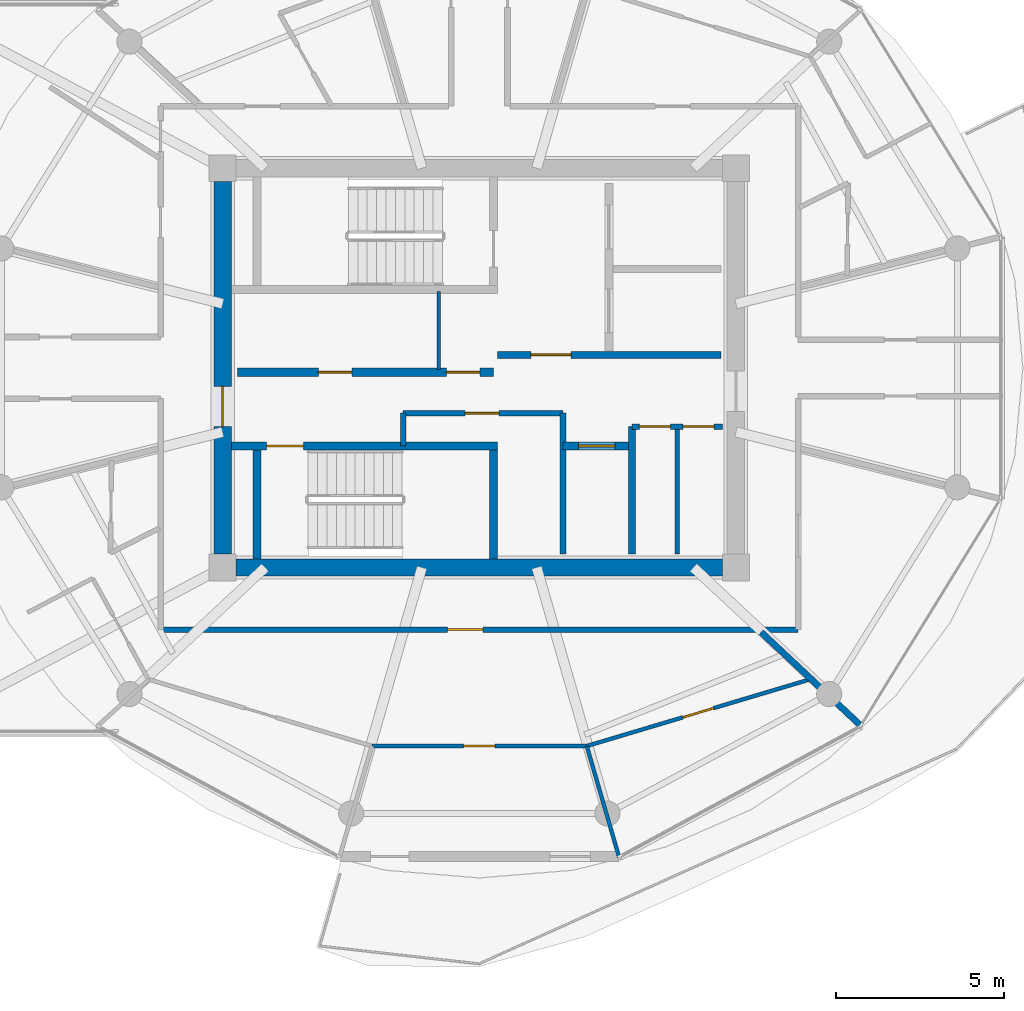
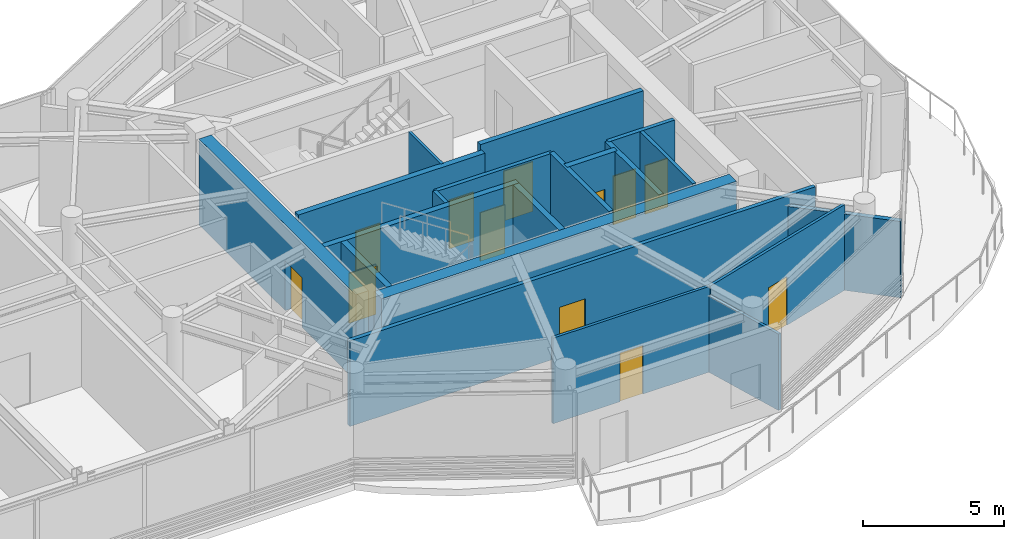
# One storey, part 17 of 24: 20 walls, 12 doors, 12 openings.
"""IFC4 building model written with IfcOpenShell, lengths in metres."""

from ifc_helpers import new_model, si_unit, direction, frame, frame_2d, origin, place, context, subcontext, project, spatial, rectangle, extrude, source, transform, mapped, material, layer, layer_set, type_object, type_shapes, element, fill, save


model = new_model("IFC4")

# Units and contexts
model_context = context("Model", 3, precision=1e-05, world=origin(), true_north=direction((0.0, 1.0)))
body_context = subcontext(model_context, "Body", "Model", "MODEL_VIEW")
ifc_project = project(units=[si_unit("LENGTHUNIT", "METRE"), si_unit("AREAUNIT", "SQUARE_METRE"), si_unit("VOLUMEUNIT", "CUBIC_METRE"), si_unit("PLANEANGLEUNIT", "RADIAN"), si_unit("MASSUNIT", "GRAM", prefix="KILO")], contexts=[model_context])

# Site, building, storey
site_placement = place(None, origin())
site = spatial("IfcSite", under=ifc_project, at=site_placement, CompositionType="ELEMENT")
building_placement = place(site_placement, origin())
building = spatial("IfcBuilding", under=site, at=building_placement, Name="Norrkilde Senior Care Towers", CompositionType="ELEMENT")
storey_placement = place(building_placement, frame((0.0, 0.0, 203.800048828125)))
storey = spatial("IfcBuildingStorey", under=building, at=storey_placement, Name="L63", CompositionType="ELEMENT", Elevation=203.800048828125)

# Wall
ifc_material_1 = material(Name="Concrete C50/60", Category="concrete")
ifc_layer_1 = layer(ifc_material_1, 0.52001953125)
ifc_layer_set_1 = layer_set([ifc_layer_1], Name="Concrete C50/60")
wall_type_1 = type_object("IfcWallType", Name="Core Shear Wall Z4 520", PredefinedType="SHEAR", material=ifc_layer_set_1)
shared_shape_1 = source(origin(), body_context, "Body", "SweptSolid", [
    extrude(rectangle(XDim=14.5, YDim=0.52001953125, at=frame_2d((7.25, 0.0))), origin(), (0.0, 0.0, 1.0), 3.7099609375),
])
wall_1_placement = place(storey_placement, frame((35.25, -5.949951171875, 0.0), z_axis=(0.0, 0.0, 1.0), x_axis=(-1.0, 0.0, 0.0)))
element("IfcWall", 1, at=wall_1_placement, inside=storey, type_object=wall_type_1, Name="L63 Core E South Shear Wall", PredefinedType="SHEAR", context=body_context, shape_type="MappedRepresentation", body=[
    mapped(shared_shape_1, transform((0.0, 0.0, 0.0), x_axis=(1.0, 0.0, 0.0), y_axis=(0.0, 1.0, 0.0), z_axis=(0.0, 0.0, 1.0), scale=1.0)),
])

# Wall, opening, door
shared_shape_2 = source(origin(), body_context, "Body", "SweptSolid", [
    extrude(rectangle(XDim=11.10009765625, YDim=0.52001953125, at=frame_2d((5.550048828125, 0.0))), origin(), (0.0, 0.0, 1.0), 3.7099609375),
])
type_shapes(wall_type_1, [shared_shape_1, shared_shape_2])
wall_2_placement = place(storey_placement, frame((20.35009765625, -5.550048828125, 0.0), z_axis=(0.0, 0.0, 1.0), x_axis=(0.0, 1.0, 0.0)))
wall_2 = element("IfcWall", 2, at=wall_2_placement, inside=storey, type_object=wall_type_1, Name="L63 Core E West Shear Wall", PredefinedType="SHEAR", context=body_context, shape_type="MappedRepresentation", body=[
    mapped(shared_shape_2, transform((0.0, 0.0, 0.0), x_axis=(1.0, 0.0, 0.0), y_axis=(0.0, 1.0, 0.0), z_axis=(0.0, 0.0, 1.0), scale=1.0)),
])
opening_1_placement = place(wall_2_placement, frame((3.800048828125, 0.0, 0.0)))
opening_1 = element("IfcOpeningElement", 3, at=opening_1_placement, cuts=wall_2, Name="Opening D-04", PredefinedType="OPENING", context=body_context, shape_type="SweptSolid", body=[
    extrude(rectangle(XDim=1.199951171875, YDim=2.14990234375, at=frame_2d((0.60009765625, 1.074951171875))), frame((0.0, 0.27001953125, 0.0), z_axis=(0.0, -1.0, 0.0), x_axis=(1.0, 0.0, 0.0)), (0.0, 0.0, 1.0), 0.5400390625),
])
ifc_material_2 = material(Name="Galvanised Painted Steel", Category="steel")
door_type_1 = type_object("IfcDoorType", Name="Firefighting Lobby Fire Door 1200x2150", OperationType="NOTDEFINED", PredefinedType="DOOR", material=ifc_material_2)
shared_shape_3 = source(origin(), body_context, "Body", "SweptSolid", [
    extrude(rectangle(XDim=1.199951171875, YDim=2.14990234375, at=frame_2d((0.60009765625, 1.074951171875))), frame((0.0, 0.02490234375, 0.0), z_axis=(0.0, -1.0, 0.0), x_axis=(1.0, 0.0, 0.0)), (0.0, 0.0, 1.0), 0.050048828125),
])
type_shapes(door_type_1, [shared_shape_3])
door_1_placement = place(opening_1_placement, frame((1.199951171875, 0.0, 0.0), z_axis=(0.0, 0.0, 1.0), x_axis=(-1.0, 0.0, 0.0)))
door_1 = element("IfcDoor", 4, at=door_1_placement, inside=storey, type_object=door_type_1, Name="L63 Core E West Portal Door", OperationType="SINGLE_SWING_LEFT", OverallHeight=2.14990234375, OverallWidth=1.199951171875, PredefinedType="DOOR", context=body_context, shape_type="MappedRepresentation", body=[
    mapped(shared_shape_3, transform((0.0, 0.0, 0.0), x_axis=(1.0, 0.0, 0.0), y_axis=(0.0, 1.0, 0.0), z_axis=(0.0, 0.0, 1.0), scale=1.0)),
])
fill(opening_1, door_1)

ifc_material_3 = material(Name="Concrete C45/55", Category="concrete")
ifc_layer_2 = layer(ifc_material_3, 0.239990234375)
ifc_layer_set_2 = layer_set([ifc_layer_2], Name="Concrete C45/55")
wall_type_2 = type_object("IfcWallType", Name="Shaft and Stair Enclosure Wall 240", PredefinedType="PARTITIONING", material=ifc_layer_set_2)
shared_shape_4 = source(origin(), body_context, "Body", "SweptSolid", [
    extrude(rectangle(XDim=7.929931640625, YDim=0.239990234375, at=frame_2d((3.96484375, 0.0))), origin(), (0.0, 0.0, 1.0), 3.7099609375),
])
wall_3_placement = place(storey_placement, frame((20.610107421875, -2.330078125, 0.0), z_axis=(0.0, 0.0, 1.0), x_axis=(1.0, 0.0, 0.0)))
wall_3 = element("IfcWall", 5, at=wall_3_placement, inside=storey, type_object=wall_type_2, Name="WL-INT-L63-E-ST2N", PredefinedType="PARTITIONING", context=body_context, shape_type="MappedRepresentation", body=[
    mapped(shared_shape_4, transform((0.0, 0.0, 0.0), x_axis=(1.0, 0.0, 0.0), y_axis=(0.0, 1.0, 0.0), z_axis=(0.0, 0.0, 1.0), scale=1.0)),
])
opening_2_placement = place(wall_3_placement, frame((1.050048828125, 0.0, 0.0)))
opening_2 = element("IfcOpeningElement", 6, at=opening_2_placement, cuts=wall_3, Name="Opening D-03", PredefinedType="OPENING", context=body_context, shape_type="SweptSolid", body=[
    extrude(rectangle(XDim=1.10009765625, YDim=2.14990234375, at=frame_2d((0.550048828125, 1.074951171875))), frame((0.0, 0.1298828125, 0.0), z_axis=(0.0, -1.0, 0.0), x_axis=(1.0, 0.0, 0.0)), (0.0, 0.0, 1.0), 0.260009765625),
])
door_type_2 = type_object("IfcDoorType", Name="Stairwell Protected Fire Door 1100x2150", OperationType="NOTDEFINED", PredefinedType="DOOR", material=ifc_material_2)
shared_shape_5 = source(origin(), body_context, "Body", "SweptSolid", [
    extrude(rectangle(XDim=1.10009765625, YDim=2.14990234375, at=frame_2d((0.550048828125, 1.074951171875))), frame((0.0, 0.02490234375, 0.0), z_axis=(0.0, -1.0, 0.0), x_axis=(1.0, 0.0, 0.0)), (0.0, 0.0, 1.0), 0.050048828125),
])
type_shapes(door_type_2, [shared_shape_5])
door_2_placement = place(opening_2_placement, frame((1.10009765625, 0.0, 0.0), z_axis=(0.0, 0.0, 1.0), x_axis=(-1.0, 0.0, 0.0)))
door_2 = element("IfcDoor", 7, at=door_2_placement, inside=storey, type_object=door_type_2, Name="L63 Stair E2 Fire Door", OperationType="SINGLE_SWING_RIGHT", OverallHeight=2.14990234375, OverallWidth=1.10009765625, PredefinedType="DOOR", context=body_context, shape_type="MappedRepresentation", body=[
    mapped(shared_shape_5, transform((0.0, 0.0, 0.0), x_axis=(1.0, 0.0, 0.0), y_axis=(0.0, 1.0, 0.0), z_axis=(0.0, 0.0, 1.0), scale=1.0)),
])
fill(opening_2, door_2)

# Walls
shared_shape_6 = source(origin(), body_context, "Body", "SweptSolid", [
    extrude(rectangle(XDim=3.239990234375, YDim=0.239990234375, at=frame_2d((1.6201171875, 0.0))), origin(), (0.0, 0.0, 1.0), 3.7099609375),
])
type_shapes(wall_type_2, [shared_shape_4, shared_shape_6])
for number, where, z_axis, x_axis, name in (
    (8, (21.3798828125, -5.68994140625, 0.0), (0.0, 0.0, 1.0), (0.0, 1.0, 0.0), "WL-INT-L63-E-ST2W"),
    (9, (28.419921875, -5.68994140625, 0.0), (0.0, 0.0, 1.0), (0.0, 1.0, 0.0), "WL-INT-L63-E-ST2E"),
):
    element("IfcWall", number, at=place(storey_placement, frame(where, z_axis=z_axis, x_axis=x_axis)), inside=storey, type_object=wall_type_2, Name=name, PredefinedType="PARTITIONING", context=body_context, shape_type="MappedRepresentation", body=[
        mapped(shared_shape_6, transform((0.0, 0.0, 0.0), x_axis=(1.0, 0.0, 0.0), y_axis=(0.0, 1.0, 0.0), z_axis=(0.0, 0.0, 1.0), scale=1.0)),
    ])

# Wall, opening, door
ifc_layer_3 = layer(ifc_material_3, 0.2099609375)
ifc_layer_set_3 = layer_set([ifc_layer_3], Name="Concrete C45/55")
wall_type_3 = type_object("IfcWallType", Name="Firefighting Lobby Wall 210", PredefinedType="PARTITIONING", material=ifc_layer_set_3)
shared_shape_7 = source(origin(), body_context, "Body", "SweptSolid", [
    extrude(rectangle(XDim=6.659912109375, YDim=0.2099609375, at=frame_2d((3.330078125, 0.0))), origin(), (0.0, 0.0, 1.0), 3.695068359375),
])
type_shapes(wall_type_3, [shared_shape_7])
wall_4_placement = place(storey_placement, frame((28.5400390625, 0.389892578125, 0.0), z_axis=(0.0, 0.0, 1.0), x_axis=(1.0, 0.0, 0.0)))
wall_4 = element("IfcWall", 10, at=wall_4_placement, inside=storey, type_object=wall_type_3, Name="WL-INT-L63-E-FFLS", PredefinedType="PARTITIONING", context=body_context, shape_type="MappedRepresentation", body=[
    mapped(shared_shape_7, transform((0.0, 0.0, 0.0), x_axis=(1.0, 0.0, 0.0), y_axis=(0.0, 1.0, 0.0), z_axis=(0.0, 0.0, 1.0), scale=1.0)),
])
opening_3_placement = place(wall_4_placement, frame((1.0, 0.0, 0.0)))
opening_3 = element("IfcOpeningElement", 11, at=opening_3_placement, cuts=wall_4, Name="Opening D-04", PredefinedType="OPENING", context=body_context, shape_type="SweptSolid", body=[
    extrude(rectangle(XDim=1.199951171875, YDim=2.14990234375, at=frame_2d((0.60009765625, 1.074951171875))), frame((0.0, 0.114990234375, 0.0), z_axis=(0.0, -1.0, 0.0), x_axis=(1.0, 0.0, 0.0)), (0.0, 0.0, 1.0), 0.22998046875),
])
door_3_placement = place(opening_3_placement, frame((1.199951171875, 0.0, 0.0), z_axis=(0.0, 0.0, 1.0), x_axis=(-1.0, 0.0, 0.0)))
door_3 = element("IfcDoor", 12, at=door_3_placement, inside=storey, type_object=door_type_1, Name="L63 Firefighting Lobby E Door", OperationType="SINGLE_SWING_LEFT", OverallHeight=2.14990234375, OverallWidth=1.199951171875, PredefinedType="DOOR", context=body_context, shape_type="MappedRepresentation", body=[
    mapped(shared_shape_3, transform((0.0, 0.0, 0.0), x_axis=(1.0, 0.0, 0.0), y_axis=(0.0, 1.0, 0.0), z_axis=(0.0, 0.0, 1.0), scale=1.0)),
])
fill(opening_3, door_3)

# Wall, openings, doors
ifc_layer_4 = layer(ifc_material_3, 0.239990234375)
ifc_layer_set_4 = layer_set([ifc_layer_4], Name="Concrete C45/55")
wall_type_4 = type_object("IfcWallType", Name="Lift and Plant Rated Enclosure Partition 240", PredefinedType="PARTITIONING", material=ifc_layer_set_4)
shared_shape_8 = source(origin(), body_context, "Body", "SweptSolid", [
    extrude(rectangle(XDim=7.619873046875, YDim=0.239990234375, at=frame_2d((3.81005859375, 0.0))), origin(), (0.0, 0.0, 1.0), 3.695068359375),
])
wall_5_placement = place(storey_placement, frame((20.800048828125, -0.1298828125, 0.0), z_axis=(0.0, 0.0, 1.0), x_axis=(1.0, 0.0, 0.0)))
wall_5 = element("IfcWall", 13, at=wall_5_placement, inside=storey, type_object=wall_type_4, Name="WL-INT-L63-E-PKAS", PredefinedType="PARTITIONING", context=body_context, shape_type="MappedRepresentation", body=[
    mapped(shared_shape_8, transform((0.0, 0.0, 0.0), x_axis=(1.0, 0.0, 0.0), y_axis=(0.0, 1.0, 0.0), z_axis=(0.0, 0.0, 1.0), scale=1.0)),
])
opening_4_placement = place(wall_5_placement, frame((6.219970703125, 0.0, 0.0)))
opening_4 = element("IfcOpeningElement", 14, at=opening_4_placement, cuts=wall_5, Name="Opening D-10", PredefinedType="OPENING", context=body_context, shape_type="SweptSolid", body=[
    extrude(rectangle(XDim=1.0, YDim=2.10009765625, at=frame_2d((0.5, 1.050048828125))), frame((0.0, 0.1298828125, 0.0), z_axis=(0.0, -1.0, 0.0), x_axis=(1.0, 0.0, 0.0)), (0.0, 0.0, 1.0), 0.260009765625),
])
opening_5_placement = place(wall_5_placement, frame((2.39990234375, 0.0, 0.0)))
opening_5 = element("IfcOpeningElement", 15, at=opening_5_placement, cuts=wall_5, Name="Opening D-10", PredefinedType="OPENING", context=body_context, shape_type="SweptSolid", body=[
    extrude(rectangle(XDim=1.0, YDim=2.10009765625, at=frame_2d((0.5, 1.050048828125))), frame((0.0, 0.1298828125, 0.0), z_axis=(0.0, -1.0, 0.0), x_axis=(1.0, 0.0, 0.0)), (0.0, 0.0, 1.0), 0.260009765625),
])
door_type_3 = type_object("IfcDoorType", Name="Plant and Riser Rated Door 1000x2100", OperationType="NOTDEFINED", PredefinedType="DOOR", material=ifc_material_2)
shared_shape_9 = source(origin(), body_context, "Body", "SweptSolid", [
    extrude(rectangle(XDim=1.0, YDim=2.10009765625, at=frame_2d((0.5, 1.050048828125))), frame((0.0, 0.02490234375, 0.0), z_axis=(0.0, -1.0, 0.0), x_axis=(1.0, 0.0, 0.0)), (0.0, 0.0, 1.0), 0.050048828125),
])
type_shapes(door_type_3, [shared_shape_9])
door_4_placement = place(opening_4_placement, frame((1.0, 0.0, 0.0), z_axis=(0.0, 0.0, 1.0), x_axis=(-1.0, 0.0, 0.0)))
door_4 = element("IfcDoor", 16, at=door_4_placement, inside=storey, type_object=door_type_3, Name="L63 Electrical Riser E Door", OperationType="SINGLE_SWING_LEFT", OverallHeight=2.10009765625, OverallWidth=1.0, PredefinedType="DOOR", context=body_context, shape_type="MappedRepresentation", body=[
    mapped(shared_shape_9, transform((0.0, 0.0, 0.0), x_axis=(1.0, 0.0, 0.0), y_axis=(0.0, 1.0, 0.0), z_axis=(0.0, 0.0, 1.0), scale=1.0)),
])
fill(opening_4, door_4)
door_5_placement = place(opening_5_placement, frame((1.0, 0.0, 0.0), z_axis=(0.0, 0.0, 1.0), x_axis=(-1.0, 0.0, 0.0)))
door_5 = element("IfcDoor", 17, at=door_5_placement, inside=storey, type_object=door_type_3, Name="L63 Clean Supply Store E Door", OperationType="SINGLE_SWING_LEFT", OverallHeight=2.10009765625, OverallWidth=1.0, PredefinedType="DOOR", context=body_context, shape_type="MappedRepresentation", body=[
    mapped(shared_shape_9, transform((0.0, 0.0, 0.0), x_axis=(1.0, 0.0, 0.0), y_axis=(0.0, 1.0, 0.0), z_axis=(0.0, 0.0, 1.0), scale=1.0)),
])
fill(opening_5, door_5)

# Walls
ifc_material_4 = material(Name="Gypsum Acoustic Board")
ifc_layer_5 = layer(ifc_material_4, 0.114990234375)
ifc_layer_set_5 = layer_set([ifc_layer_5], Name="Gypsum Acoustic Board")
wall_type_5 = type_object("IfcWallType", Name="Internal Room Partition 115", PredefinedType="PARTITIONING", material=ifc_layer_set_5)
shared_shape_10 = source(origin(), body_context, "Body", "SweptSolid", [
    extrude(rectangle(XDim=2.330078125, YDim=0.114990234375, at=frame_2d((1.1650390625, 0.0))), origin(), (0.0, 0.0, 1.0), 3.695068359375),
])
wall_6_placement = place(storey_placement, frame((26.7900390625, -0.050048828125, 0.0), z_axis=(0.0, 0.0, 1.0), x_axis=(0.0, 1.0, 0.0)))
element("IfcWall", 18, at=wall_6_placement, inside=storey, type_object=wall_type_5, Name="WL-INT-L63-E-RISW", PredefinedType="PARTITIONING", context=body_context, shape_type="MappedRepresentation", body=[
    mapped(shared_shape_10, transform((0.0, 0.0, 0.0), x_axis=(1.0, 0.0, 0.0), y_axis=(0.0, 1.0, 0.0), z_axis=(0.0, 0.0, 1.0), scale=1.0)),
])
ifc_layer_6 = layer(ifc_material_3, 0.199951171875)
ifc_layer_set_6 = layer_set([ifc_layer_6], Name="Concrete C45/55")
wall_type_6 = type_object("IfcWallType", Name="Shaft Division and Plant Partition 200", PredefinedType="PARTITIONING", material=ifc_layer_set_6)
shared_shape_11 = source(origin(), body_context, "Body", "SweptSolid", [
    extrude(rectangle(XDim=3.800048828125, YDim=0.199951171875, at=frame_2d((1.89990234375, 0.0))), origin(), (0.0, 0.0, 1.0), 3.695068359375),
])
type_shapes(wall_type_6, [shared_shape_11])
wall_7_placement = place(storey_placement, frame((32.550048828125, -5.550048828125, 0.0), z_axis=(0.0, 0.0, 1.0), x_axis=(0.0, 1.0, 0.0)))
element("IfcWall", 19, at=wall_7_placement, inside=storey, type_object=wall_type_6, Name="WL-INT-L63-E-PKBE", PredefinedType="PARTITIONING", context=body_context, shape_type="MappedRepresentation", body=[
    mapped(shared_shape_11, transform((0.0, 0.0, 0.0), x_axis=(1.0, 0.0, 0.0), y_axis=(0.0, 1.0, 0.0), z_axis=(0.0, 0.0, 1.0), scale=1.0)),
])

# Wall, opening, door
shared_shape_12 = source(origin(), body_context, "Body", "SweptSolid", [
    extrude(rectangle(XDim=2.050048828125, YDim=0.239990234375, at=frame_2d((1.02490234375, 0.0))), origin(), (0.0, 0.0, 1.0), 3.695068359375),
])
type_shapes(wall_type_4, [shared_shape_8, shared_shape_12])
wall_8_placement = place(storey_placement, frame((30.5, -2.330078125, 0.0), z_axis=(0.0, 0.0, 1.0), x_axis=(1.0, 0.0, 0.0)))
wall_8 = element("IfcWall", 20, at=wall_8_placement, inside=storey, type_object=wall_type_4, Name="WL-INT-L63-E-PL4N", PredefinedType="PARTITIONING", context=body_context, shape_type="MappedRepresentation", body=[
    mapped(shared_shape_12, transform((0.0, 0.0, 0.0), x_axis=(1.0, 0.0, 0.0), y_axis=(0.0, 1.0, 0.0), z_axis=(0.0, 0.0, 1.0), scale=1.0)),
])
opening_6_placement = place(wall_8_placement, frame((0.449951171875, 0.0, 0.0)))
opening_6 = element("IfcOpeningElement", 21, at=opening_6_placement, cuts=wall_8, Name="Opening LD-01", PredefinedType="OPENING", context=body_context, shape_type="SweptSolid", body=[
    extrude(rectangle(XDim=1.10009765625, YDim=2.199951171875, at=frame_2d((0.550048828125, 1.10009765625))), frame((0.0, 0.1298828125, 0.0), z_axis=(0.0, -1.0, 0.0), x_axis=(1.0, 0.0, 0.0)), (0.0, 0.0, 1.0), 0.260009765625),
])
ifc_material_5 = material(Name="Stainless Steel", Category="steel")
door_type_4 = type_object("IfcDoorType", Name="Lift Landing Sliding Door 1100x2200", OperationType="NOTDEFINED", PredefinedType="DOOR", material=ifc_material_5)
shared_shape_13 = source(origin(), body_context, "Body", "SweptSolid", [
    extrude(rectangle(XDim=1.10009765625, YDim=2.199951171875, at=frame_2d((0.550048828125, 1.10009765625))), frame((0.0, 0.02490234375, 0.0), z_axis=(0.0, -1.0, 0.0), x_axis=(1.0, 0.0, 0.0)), (0.0, 0.0, 1.0), 0.050048828125),
])
type_shapes(door_type_4, [shared_shape_13])
door_6_placement = place(opening_6_placement, frame((1.10009765625, 0.0, 0.0), z_axis=(0.0, 0.0, 1.0), x_axis=(-1.0, 0.0, 0.0)))
door_6 = element("IfcDoor", 22, at=door_6_placement, inside=storey, type_object=door_type_4, Name="L63 Passenger Lift E4 Landing Door", OperationType="SLIDING_TO_RIGHT", OverallHeight=2.199951171875, OverallWidth=1.10009765625, PredefinedType="DOOR", context=body_context, shape_type="MappedRepresentation", body=[
    mapped(shared_shape_13, transform((0.0, 0.0, 0.0), x_axis=(1.0, 0.0, 0.0), y_axis=(0.0, 1.0, 0.0), z_axis=(0.0, 0.0, 1.0), scale=1.0)),
])
fill(opening_6, door_6)

# Wall
ifc_layer_7 = layer(ifc_material_3, 0.179931640625)
ifc_layer_set_7 = layer_set([ifc_layer_7], Name="Concrete C45/55")
wall_type_7 = type_object("IfcWallType", Name="Hoistway Division Rated Partition 180", PredefinedType="PARTITIONING", material=ifc_layer_set_7)
shared_shape_14 = source(origin(), body_context, "Body", "SweptSolid", [
    extrude(rectangle(XDim=4.199951171875, YDim=0.179931640625, at=frame_2d((2.10009765625, 0.0))), origin(), (0.0, 0.0, 1.0), 3.695068359375),
])
type_shapes(wall_type_7, [shared_shape_14])
wall_9_placement = place(storey_placement, frame((30.5, -5.550048828125, 0.0), z_axis=(0.0, 0.0, 1.0), x_axis=(0.0, 1.0, 0.0)))
element("IfcWall", 23, at=wall_9_placement, inside=storey, type_object=wall_type_7, Name="WL-INT-L63-E-PL4W", PredefinedType="PARTITIONING", context=body_context, shape_type="MappedRepresentation", body=[
    mapped(shared_shape_14, transform((0.0, 0.0, 0.0), x_axis=(1.0, 0.0, 0.0), y_axis=(0.0, 1.0, 0.0), z_axis=(0.0, 0.0, 1.0), scale=1.0)),
])

# Wall, opening, door
ifc_layer_8 = layer(ifc_material_4, 0.1650390625)
ifc_layer_set_8 = layer_set([ifc_layer_8], Name="Gypsum Acoustic Board")
wall_type_8 = type_object("IfcWallType", Name="Corridor Rated Partition 165", PredefinedType="PARTITIONING", material=ifc_layer_set_8)
shared_shape_15 = source(origin(), body_context, "Body", "SweptSolid", [
    extrude(rectangle(XDim=4.77001953125, YDim=0.1650390625, at=frame_2d((2.385009765625, 0.0))), origin(), (0.0, 0.0, 1.0), 3.695068359375),
])
wall_10_placement = place(storey_placement, frame((25.72998046875, -1.35009765625, 0.0), z_axis=(0.0, 0.0, 1.0), x_axis=(1.0, 0.0, 0.0)))
wall_10 = element("IfcWall", 24, at=wall_10_placement, inside=storey, type_object=wall_type_8, Name="WL-INT-L63-E-FR2N", PredefinedType="PARTITIONING", context=body_context, shape_type="MappedRepresentation", body=[
    mapped(shared_shape_15, transform((0.0, 0.0, 0.0), x_axis=(1.0, 0.0, 0.0), y_axis=(0.0, 1.0, 0.0), z_axis=(0.0, 0.0, 1.0), scale=1.0)),
])
opening_7_placement = place(wall_10_placement, frame((1.85009765625, 0.0, 0.0)))
opening_7 = element("IfcOpeningElement", 25, at=opening_7_placement, cuts=wall_10, Name="Opening D-10", PredefinedType="OPENING", context=body_context, shape_type="SweptSolid", body=[
    extrude(rectangle(XDim=1.0, YDim=2.10009765625, at=frame_2d((0.5, 1.050048828125))), frame((0.0, 0.092529296875, 0.0), z_axis=(0.0, -1.0, 0.0), x_axis=(1.0, 0.0, 0.0)), (0.0, 0.0, 1.0), 0.18505859375),
])
door_7_placement = place(opening_7_placement, origin())
door_7 = element("IfcDoor", 26, at=door_7_placement, inside=storey, type_object=door_type_3, Name="L63 Core Pantry E Door", OperationType="SINGLE_SWING_RIGHT", OverallHeight=2.10009765625, OverallWidth=1.0, PredefinedType="DOOR", context=body_context, shape_type="MappedRepresentation", body=[
    mapped(shared_shape_9, transform((0.0, 0.0, 0.0), x_axis=(1.0, 0.0, 0.0), y_axis=(0.0, 1.0, 0.0), z_axis=(0.0, 0.0, 1.0), scale=1.0)),
])
fill(opening_7, door_7)

# Wall
shared_shape_16 = source(origin(), body_context, "Body", "SweptSolid", [
    extrude(rectangle(XDim=0.97998046875, YDim=0.1650390625, at=frame_2d((0.489990234375, 0.0))), origin(), (0.0, 0.0, 1.0), 3.695068359375),
])
wall_11_placement = place(storey_placement, frame((25.72998046875, -2.330078125, 0.0), z_axis=(0.0, 0.0, 1.0), x_axis=(0.0, 1.0, 0.0)))
element("IfcWall", 27, at=wall_11_placement, inside=storey, type_object=wall_type_8, Name="WL-INT-L63-E-FR2W", PredefinedType="PARTITIONING", context=body_context, shape_type="MappedRepresentation", body=[
    mapped(shared_shape_16, transform((0.0, 0.0, 0.0), x_axis=(1.0, 0.0, 0.0), y_axis=(0.0, 1.0, 0.0), z_axis=(0.0, 0.0, 1.0), scale=1.0)),
])

# Wall, openings, doors
shared_shape_17 = source(origin(), body_context, "Body", "SweptSolid", [
    extrude(rectangle(XDim=2.699951171875, YDim=0.1650390625, at=frame_2d((1.35009765625, 0.0))), origin(), (0.0, 0.0, 1.0), 3.695068359375),
])
wall_12_placement = place(storey_placement, frame((32.550048828125, -1.75, 0.0), z_axis=(0.0, 0.0, 1.0), x_axis=(1.0, 0.0, 0.0)))
wall_12 = element("IfcWall", 28, at=wall_12_placement, inside=storey, type_object=wall_type_8, Name="WL-INT-L63-E-CSN", PredefinedType="PARTITIONING", context=body_context, shape_type="MappedRepresentation", body=[
    mapped(shared_shape_17, transform((0.0, 0.0, 0.0), x_axis=(1.0, 0.0, 0.0), y_axis=(0.0, 1.0, 0.0), z_axis=(0.0, 0.0, 1.0), scale=1.0)),
])
opening_8_placement = place(wall_12_placement, frame((0.222412109375, 0.0, 0.0)))
opening_8 = element("IfcOpeningElement", 29, at=opening_8_placement, cuts=wall_12, Name="Opening D-12", PredefinedType="OPENING", context=body_context, shape_type="SweptSolid", body=[
    extrude(rectangle(XDim=0.925048828125, YDim=2.10009765625, at=frame_2d((0.46240234375, 1.050048828125))), frame((0.0, 0.092529296875, 0.0), z_axis=(0.0, -1.0, 0.0), x_axis=(1.0, 0.0, 0.0)), (0.0, 0.0, 1.0), 0.18505859375),
])
opening_9_placement = place(wall_12_placement, frame((1.5224609375, 0.0, 0.0)))
opening_9 = element("IfcOpeningElement", 30, at=opening_9_placement, cuts=wall_12, Name="Opening D-12", PredefinedType="OPENING", context=body_context, shape_type="SweptSolid", body=[
    extrude(rectangle(XDim=0.925048828125, YDim=2.10009765625, at=frame_2d((0.46240234375, 1.050048828125))), frame((0.0, 0.092529296875, 0.0), z_axis=(0.0, -1.0, 0.0), x_axis=(1.0, 0.0, 0.0)), (0.0, 0.0, 1.0), 0.18505859375),
])
door_type_5 = type_object("IfcDoorType", Name="Core Wet Room Rated Door 925x2100", OperationType="NOTDEFINED", PredefinedType="DOOR", material=ifc_material_2)
shared_shape_18 = source(origin(), body_context, "Body", "SweptSolid", [
    extrude(rectangle(XDim=0.925048828125, YDim=2.10009765625, at=frame_2d((0.46240234375, 1.050048828125))), frame((0.0, 0.02490234375, 0.0), z_axis=(0.0, -1.0, 0.0), x_axis=(1.0, 0.0, 0.0)), (0.0, 0.0, 1.0), 0.050048828125),
])
type_shapes(door_type_5, [shared_shape_18])
door_8_placement = place(opening_8_placement, origin())
door_8 = element("IfcDoor", 31, at=door_8_placement, inside=storey, type_object=door_type_5, Name="L63 Staff Accessible WC E Door", OperationType="SINGLE_SWING_LEFT", OverallHeight=2.10009765625, OverallWidth=0.925048828125, PredefinedType="DOOR", context=body_context, shape_type="MappedRepresentation", body=[
    mapped(shared_shape_18, transform((0.0, 0.0, 0.0), x_axis=(1.0, 0.0, 0.0), y_axis=(0.0, 1.0, 0.0), z_axis=(0.0, 0.0, 1.0), scale=1.0)),
])
fill(opening_8, door_8)
door_9_placement = place(opening_9_placement, origin())
door_9 = element("IfcDoor", 32, at=door_9_placement, inside=storey, type_object=door_type_5, Name="L63 Housekeeping Store E Door", OperationType="SINGLE_SWING_RIGHT", OverallHeight=2.10009765625, OverallWidth=0.925048828125, PredefinedType="DOOR", context=body_context, shape_type="MappedRepresentation", body=[
    mapped(shared_shape_18, transform((0.0, 0.0, 0.0), x_axis=(1.0, 0.0, 0.0), y_axis=(0.0, 1.0, 0.0), z_axis=(0.0, 0.0, 1.0), scale=1.0)),
])
fill(opening_9, door_9)

# Wall
ifc_layer_9 = layer(ifc_material_4, 0.139892578125)
ifc_layer_set_9 = layer_set([ifc_layer_9], Name="Gypsum Acoustic Board")
wall_type_9 = type_object("IfcWallType", Name="En-suite Wet Room Wall 140", PredefinedType="PARTITIONING", material=ifc_layer_set_9)
shared_shape_19 = source(origin(), body_context, "Body", "SweptSolid", [
    extrude(rectangle(XDim=3.800048828125, YDim=0.139892578125, at=frame_2d((1.89990234375, 0.0))), origin(), (0.0, 0.0, 1.0), 3.695068359375),
])
type_shapes(wall_type_9, [shared_shape_19])
wall_13_placement = place(storey_placement, frame((33.89990234375, -5.550048828125, 0.0), z_axis=(0.0, 0.0, 1.0), x_axis=(0.0, 1.0, 0.0)))
element("IfcWall", 33, at=wall_13_placement, inside=storey, type_object=wall_type_9, Name="WL-INT-L63-E-CS1V", PredefinedType="PARTITIONING", context=body_context, shape_type="MappedRepresentation", body=[
    mapped(shared_shape_19, transform((0.0, 0.0, 0.0), x_axis=(1.0, 0.0, 0.0), y_axis=(0.0, 1.0, 0.0), z_axis=(0.0, 0.0, 1.0), scale=1.0)),
])

# Wall, opening, door
shared_shape_20 = source(origin(), body_context, "Body", "SweptSolid", [
    extrude(rectangle(XDim=19.0, YDim=0.1650390625, at=frame_2d((9.5, 0.0))), origin(), (0.0, 0.0, 1.0), 3.695068359375),
])
type_shapes(wall_type_8, [shared_shape_15, shared_shape_16, shared_shape_17, shared_shape_20])
wall_14_placement = place(storey_placement, frame((37.5, -7.800048828125, 0.0), z_axis=(0.0, 0.0, 1.0), x_axis=(-1.0, 0.0, 0.0)))
wall_14 = element("IfcWall", 34, at=wall_14_placement, inside=storey, type_object=wall_type_8, Name="WL-INT-L63-E-CRW-S-0", PredefinedType="PARTITIONING", context=body_context, shape_type="MappedRepresentation", body=[
    mapped(shared_shape_20, transform((0.0, 0.0, 0.0), x_axis=(1.0, 0.0, 0.0), y_axis=(0.0, 1.0, 0.0), z_axis=(0.0, 0.0, 1.0), scale=1.0)),
])
opening_10_placement = place(wall_14_placement, frame((9.39208984375, 0.0, 0.0)))
opening_10 = element("IfcOpeningElement", 35, at=opening_10_placement, cuts=wall_14, Name="Opening D-06", PredefinedType="OPENING", context=body_context, shape_type="SweptSolid", body=[
    extrude(rectangle(XDim=1.050048828125, YDim=2.14990234375, at=frame_2d((0.52490234375, 1.074951171875))), frame((0.0, 0.092529296875, 0.0), z_axis=(0.0, -1.0, 0.0), x_axis=(1.0, 0.0, 0.0)), (0.0, 0.0, 1.0), 0.18505859375),
])
ifc_material_6 = material(Name="Nordic Ash Timber", Category="wood")
door_type_6 = type_object("IfcDoorType", Name="Apartment Entrance Fire Door 1050x2150", OperationType="NOTDEFINED", PredefinedType="DOOR", material=ifc_material_6)
shared_shape_21 = source(origin(), body_context, "Body", "SweptSolid", [
    extrude(rectangle(XDim=1.050048828125, YDim=2.14990234375, at=frame_2d((0.52490234375, 1.074951171875))), frame((0.0, 0.02490234375, 0.0), z_axis=(0.0, -1.0, 0.0), x_axis=(1.0, 0.0, 0.0)), (0.0, 0.0, 1.0), 0.050048828125),
])
type_shapes(door_type_6, [shared_shape_21])
door_10_placement = place(opening_10_placement, frame((1.050048828125, 0.0, 0.0), z_axis=(0.0, 0.0, 1.0), x_axis=(-1.0, 0.0, 0.0)))
door_10 = element("IfcDoor", 36, at=door_10_placement, inside=storey, type_object=door_type_6, Name="Apartment 63D Entrance Door", OperationType="SINGLE_SWING_LEFT", OverallHeight=2.14990234375, OverallWidth=1.050048828125, PredefinedType="DOOR", context=body_context, shape_type="MappedRepresentation", body=[
    mapped(shared_shape_21, transform((0.0, 0.0, 0.0), x_axis=(1.0, 0.0, 0.0), y_axis=(0.0, 1.0, 0.0), z_axis=(0.0, 0.0, 1.0), scale=1.0)),
])
fill(opening_10, door_10)

# Wall
ifc_layer_10 = layer(ifc_material_4, 0.18994140625)
ifc_layer_set_10 = layer_set([ifc_layer_10], Name="Gypsum Acoustic Board")
wall_type_10 = type_object("IfcWallType", Name="Unit Demising Acoustic Wall 190", PredefinedType="PARTITIONING", material=ifc_layer_set_10)
shared_shape_22 = source(origin(), body_context, "Body", "SweptSolid", [
    extrude(rectangle(XDim=4.089111328125, YDim=0.18994140625, at=frame_2d((2.04443359375, 0.0))), origin(), (0.0, 0.0, 1.0), 3.294921875),
])
type_shapes(wall_type_10, [shared_shape_22])
wall_15_placement = place(storey_placement, frame((36.40185546875, -7.8798828125, 0.0), z_axis=(0.0, 0.0, 1.0), x_axis=(0.729401273609, -0.684086092577, 0.0)))
element("IfcWall", 37, at=wall_15_placement, inside=storey, type_object=wall_type_10, Name="WL-INT-L63-E-DEM-10-0", PredefinedType="PARTITIONING", context=body_context, shape_type="MappedRepresentation", body=[
    mapped(shared_shape_22, transform((0.0, 0.0, 0.0), x_axis=(1.0, 0.0, 0.0), y_axis=(0.0, 1.0, 0.0), z_axis=(0.0, 0.0, 1.0), scale=1.0)),
])

# Wall, opening, door
shared_shape_23 = source(origin(), body_context, "Body", "SweptSolid", [
    extrude(rectangle(XDim=6.935791015625, YDim=0.114990234375, at=frame_2d((3.4677734375, 0.0))), origin(), (0.0, 0.0, 1.0), 3.695068359375),
])
wall_16_placement = place(storey_placement, frame((31.202880859375, -11.271728515625, 0.0), z_axis=(0.0, 0.0, 1.0), x_axis=(0.958186895835, 0.286143098205, 0.0)))
wall_16 = element("IfcWall", 38, at=wall_16_placement, inside=storey, type_object=wall_type_5, Name="WL-INT-L63-E-UBC-06-3", PredefinedType="PARTITIONING", context=body_context, shape_type="MappedRepresentation", body=[
    mapped(shared_shape_23, transform((0.0, 0.0, 0.0), x_axis=(1.0, 0.0, 0.0), y_axis=(0.0, 1.0, 0.0), z_axis=(0.0, 0.0, 1.0), scale=1.0)),
])
opening_11_placement = place(wall_16_placement, frame((2.992919921875, 0.0, 0.0)))
opening_11 = element("IfcOpeningElement", 39, at=opening_11_placement, cuts=wall_16, Name="Opening D-07", PredefinedType="OPENING", context=body_context, shape_type="SweptSolid", body=[
    extrude(rectangle(XDim=0.949951171875, YDim=2.10009765625, at=frame_2d((0.47509765625, 1.050048828125))), frame((0.0, 0.0673828125, 0.0), z_axis=(0.0, -1.0, 0.0), x_axis=(1.0, 0.0, 0.0)), (0.0, 0.0, 1.0), 0.135009765625),
])
door_type_7 = type_object("IfcDoorType", Name="Internal Suite Bedroom Door 950x2100", OperationType="NOTDEFINED", PredefinedType="DOOR", material=ifc_material_6)
shared_shape_24 = source(origin(), body_context, "Body", "SweptSolid", [
    extrude(rectangle(XDim=0.949951171875, YDim=2.10009765625, at=frame_2d((0.47509765625, 1.050048828125))), frame((0.0, 0.02490234375, 0.0), z_axis=(0.0, -1.0, 0.0), x_axis=(1.0, 0.0, 0.0)), (0.0, 0.0, 1.0), 0.050048828125),
])
type_shapes(door_type_7, [shared_shape_24])
door_11_placement = place(opening_11_placement, origin())
door_11 = element("IfcDoor", 40, at=door_11_placement, inside=storey, type_object=door_type_7, Name="Apartment 63D Bedroom 3 Door", OperationType="SINGLE_SWING_RIGHT", OverallHeight=2.10009765625, OverallWidth=0.949951171875, PredefinedType="DOOR", context=body_context, shape_type="MappedRepresentation", body=[
    mapped(shared_shape_24, transform((0.0, 0.0, 0.0), x_axis=(1.0, 0.0, 0.0), y_axis=(0.0, 1.0, 0.0), z_axis=(0.0, 0.0, 1.0), scale=1.0)),
])
fill(opening_11, door_11)

shared_shape_25 = source(origin(), body_context, "Body", "SweptSolid", [
    extrude(rectangle(XDim=6.404296875, YDim=0.114990234375, at=frame_2d((3.2021484375, 0.0))), origin(), (0.0, 0.0, 1.0), 3.695068359375),
])
wall_17_placement = place(storey_placement, frame((24.7978515625, -11.26904296875, 0.0), z_axis=(0.0, 0.0, 1.0), x_axis=(1.0, 0.0, 0.0)))
wall_17 = element("IfcWall", 41, at=wall_17_placement, inside=storey, type_object=wall_type_5, Name="WL-INT-L63-E-UBC-06-2", PredefinedType="PARTITIONING", context=body_context, shape_type="MappedRepresentation", body=[
    mapped(shared_shape_25, transform((0.0, 0.0, 0.0), x_axis=(1.0, 0.0, 0.0), y_axis=(0.0, 1.0, 0.0), z_axis=(0.0, 0.0, 1.0), scale=1.0)),
])
opening_12_placement = place(wall_17_placement, frame((2.72705078125, 0.0, 0.0)))
opening_12 = element("IfcOpeningElement", 42, at=opening_12_placement, cuts=wall_17, Name="Opening D-07", PredefinedType="OPENING", context=body_context, shape_type="SweptSolid", body=[
    extrude(rectangle(XDim=0.949951171875, YDim=2.10009765625, at=frame_2d((0.47509765625, 1.050048828125))), frame((0.0, 0.0673828125, 0.0), z_axis=(0.0, -1.0, 0.0), x_axis=(1.0, 0.0, 0.0)), (0.0, 0.0, 1.0), 0.135009765625),
])
door_12_placement = place(opening_12_placement, frame((0.949951171875, 0.0, 0.0), z_axis=(0.0, 0.0, 1.0), x_axis=(-1.0, 0.0, 0.0)))
door_12 = element("IfcDoor", 43, at=door_12_placement, inside=storey, type_object=door_type_7, Name="Apartment 63D Bedroom 2 Door", OperationType="SINGLE_SWING_LEFT", OverallHeight=2.10009765625, OverallWidth=0.949951171875, PredefinedType="DOOR", context=body_context, shape_type="MappedRepresentation", body=[
    mapped(shared_shape_24, transform((0.0, 0.0, 0.0), x_axis=(1.0, 0.0, 0.0), y_axis=(0.0, 1.0, 0.0), z_axis=(0.0, 0.0, 1.0), scale=1.0)),
])
fill(opening_12, door_12)

# Wall
shared_shape_26 = source(origin(), body_context, "Body", "SweptSolid", [
    extrude(rectangle(XDim=3.451171875, YDim=0.114990234375, at=frame_2d((1.7255859375, 0.0))), origin(), (0.0, 0.0, 1.0), 3.294921875),
])
type_shapes(wall_type_5, [shared_shape_10, shared_shape_23, shared_shape_25, shared_shape_26])
wall_18_placement = place(storey_placement, frame((31.202880859375, -11.271728515625, 0.0), z_axis=(0.0, 0.0, 1.0), x_axis=(0.279361559083, -0.960185981624, 0.0)))
element("IfcWall", 44, at=wall_18_placement, inside=storey, type_object=wall_type_5, Name="WL-INT-L63-E-UBR-06-3", PredefinedType="PARTITIONING", context=body_context, shape_type="MappedRepresentation", body=[
    mapped(shared_shape_26, transform((0.0, 0.0, 0.0), x_axis=(1.0, 0.0, 0.0), y_axis=(0.0, 1.0, 0.0), z_axis=(0.0, 0.0, 1.0), scale=1.0)),
])

save(model, "model.ifc")
